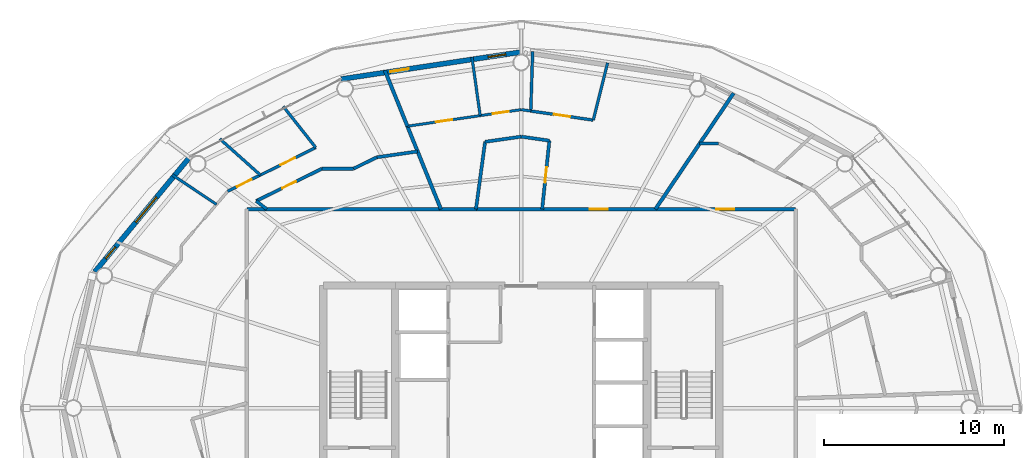
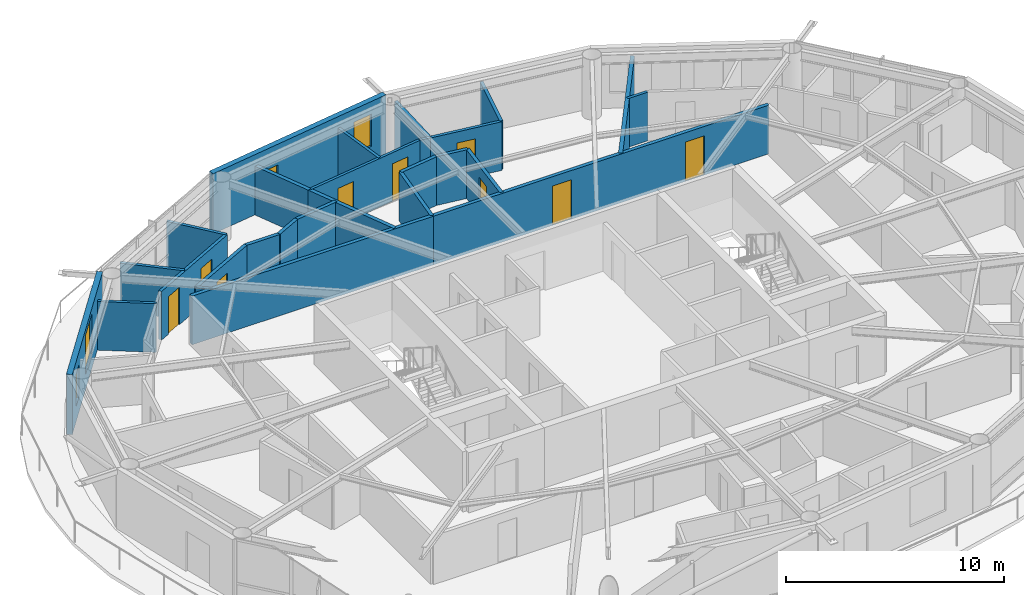
# One storey, part 19 of 23: 27 walls, 10 doors, 3 windows, 13 openings.
"""IFC4 building model written with IfcOpenShell, lengths in metres."""

from ifc_helpers import new_model, si_unit, direction, frame, frame_2d, origin, place, context, subcontext, project, spatial, rectangle, extrude, material, layer, layer_set, type_object, element, fill, save


model = new_model("IFC4")

# Units and contexts
model_context = context("Model", 3, precision=1e-05, world=origin(), true_north=direction((0.0, 1.0)))
body_context = subcontext(model_context, "Body", "Model", "MODEL_VIEW")
ifc_project = project(units=[si_unit("LENGTHUNIT", "METRE"), si_unit("AREAUNIT", "SQUARE_METRE"), si_unit("VOLUMEUNIT", "CUBIC_METRE"), si_unit("PLANEANGLEUNIT", "RADIAN"), si_unit("MASSUNIT", "GRAM", prefix="KILO")], contexts=[model_context])

# Site, building, storey
site_placement = place(None, origin())
site = spatial("IfcSite", under=ifc_project, at=site_placement, CompositionType="ELEMENT")
building_placement = place(site_placement, origin())
building = spatial("IfcBuilding", under=site, at=building_placement, Name="Sarneth Arch Tower", CompositionType="ELEMENT")
storey_placement = place(building_placement, frame((0.0, 0.0, 228.0)))
storey = spatial("IfcBuildingStorey", under=building, at=storey_placement, Name="L58", CompositionType="ELEMENT", Elevation=228.0)

# Wall
ifc_material_1 = material(Name="Double steel-stud corridor fire wall", Category="steel")
ifc_layer_1 = layer(ifc_material_1, 0.18994140625)
ifc_layer_set_1 = layer_set([ifc_layer_1], Name="Double steel-stud corridor fire wall")
wall_type_1 = type_object("IfcWallType", Name="WALL-CORR-190", PredefinedType="PARTITIONING", material=ifc_layer_set_1)
wall_1_placement = place(storey_placement, frame((32.75, 53.050048828125, 0.0), z_axis=(0.0, 0.0, 1.0), x_axis=(1.0, 0.0, 0.0)))
element("IfcWall", 1, at=wall_1_placement, inside=storey, type_object=wall_type_1, Name="L58 Interior partition W-L58-TP-009", PredefinedType="PARTITIONING", context=body_context, shape_type="SweptSolid", body=[
    extrude(rectangle(XDim=12.766357421875, YDim=0.18994140625, at=frame_2d((6.38330078125, 0.0))), origin(), (0.0, 0.0, 1.0), 2.719970703125),
])

# Wall, openings, doors
wall_2_placement = place(storey_placement, frame((45.45166015625, 53.050048828125, 0.0), z_axis=(0.0, 0.0, 1.0), x_axis=(1.0, 0.0, 0.0)))
wall_2 = element("IfcWall", 2, at=wall_2_placement, inside=storey, type_object=wall_type_1, Name="L58 Interior partition W-L58-TP-001", PredefinedType="PARTITIONING", context=body_context, shape_type="SweptSolid", body=[
    extrude(rectangle(XDim=17.79833984375, YDim=0.18994140625, at=frame_2d((8.899169921875, 0.0))), origin(), (0.0, 0.0, 1.0), 2.719970703125),
])
opening_1_placement = place(wall_2_placement, frame((13.380615234375, 0.0, 0.0)))
opening_1 = element("IfcOpeningElement", 3, at=opening_1_placement, cuts=wall_2, Name="Opening FD-08", PredefinedType="OPENING", context=body_context, shape_type="SweptSolid", body=[
    extrude(rectangle(XDim=1.0, YDim=2.199951171875, at=frame_2d((0.5, 1.10009765625))), frame((0.0, 0.10498046875, 0.0), z_axis=(0.0, -1.0, 0.0), x_axis=(1.0, 0.0, 0.0)), (0.0, 0.0, 1.0), 0.2099609375),
])
opening_2_placement = place(wall_2_placement, frame((6.35888671875, 0.0, 0.0)))
opening_2 = element("IfcOpeningElement", 4, at=opening_2_placement, cuts=wall_2, Name="Opening FD-08", PredefinedType="OPENING", context=body_context, shape_type="SweptSolid", body=[
    extrude(rectangle(XDim=1.0, YDim=2.199951171875, at=frame_2d((0.5, 1.10009765625))), frame((0.0, 0.10498046875, 0.0), z_axis=(0.0, -1.0, 0.0), x_axis=(1.0, 0.0, 0.0)), (0.0, 0.0, 1.0), 0.2099609375),
])
ifc_material_2 = material(Name="Hardwood timber acoustic fire door", Category="wood")
door_type_1 = type_object("IfcDoorType", Name="DR-FD60-1000", OperationType="SINGLE_SWING_LEFT", PredefinedType="DOOR", material=ifc_material_2)
door_1_placement = place(opening_1_placement, origin())
door_1 = element("IfcDoor", 5, at=door_1_placement, inside=storey, type_object=door_type_1, Name="L58 Interior door DR-L58-U1-ENT", OperationType="SINGLE_SWING_LEFT", OverallHeight=2.199951171875, OverallWidth=1.0, PredefinedType="DOOR", context=body_context, shape_type="SweptSolid", body=[
    extrude(rectangle(XDim=1.0, YDim=2.199951171875, at=frame_2d((0.5, 1.10009765625))), frame((0.0, 0.02490234375, 0.0), z_axis=(0.0, -1.0, 0.0), x_axis=(1.0, 0.0, 0.0)), (0.0, 0.0, 1.0), 0.050048828125),
])
fill(opening_1, door_1)
door_2_placement = place(opening_2_placement, origin())
door_2 = element("IfcDoor", 6, at=door_2_placement, inside=storey, type_object=door_type_1, Name="L58 Interior door DR-L58-U2-ENT", OperationType="SINGLE_SWING_RIGHT", OverallHeight=2.199951171875, OverallWidth=1.0, PredefinedType="DOOR", context=body_context, shape_type="SweptSolid", body=[
    extrude(rectangle(XDim=1.0, YDim=2.199951171875, at=frame_2d((0.5, 1.10009765625))), frame((0.0, 0.02490234375, 0.0), z_axis=(0.0, -1.0, 0.0), x_axis=(1.0, 0.0, 0.0)), (0.0, 0.0, 1.0), 0.050048828125),
])
fill(opening_2, door_2)

# Wall, openings, door, window
ifc_material_3 = material(Name="Extruded terracotta rainscreen on Concrete C40/50 backing", Category="masonry")
ifc_layer_2 = layer(ifc_material_3, 0.280029296875)
ifc_layer_set_2 = layer_set([ifc_layer_2], Name="Extruded terracotta rainscreen on Concrete C40/50 backing")
wall_type_2 = type_object("IfcWallType", Name="WALL-EXT-TERRA-280", PredefinedType="SOLIDWALL", material=ifc_layer_set_2)
wall_3_placement = place(storey_placement, frame((48.0, 61.780029296875, 0.0), z_axis=(0.0, 0.0, 1.0), x_axis=(-0.988882522213, -0.148698881169, 0.0)))
wall_3 = element("IfcWall", 7, at=wall_3_placement, inside=storey, type_object=wall_type_2, Name="L58 Terracotta perimeter wall 05", PredefinedType="SOLIDWALL", context=body_context, shape_type="SweptSolid", body=[
    extrude(rectangle(XDim=10.125244140625, YDim=0.280029296875, at=frame_2d((5.0625, 0.0))), origin(), (0.0, 0.0, 1.0), 3.360107421875),
])
opening_3_placement = place(wall_3_placement, frame((6.316650390625, 0.0, 0.0)))
opening_3 = element("IfcOpeningElement", 8, at=opening_3_placement, cuts=wall_3, Name="Opening BD-4", PredefinedType="OPENING", context=body_context, shape_type="SweptSolid", body=[
    extrude(rectangle(XDim=1.050048828125, YDim=2.199951171875, at=frame_2d((0.52490234375, 1.10009765625))), frame((0.0, 0.14990234375, 0.0), z_axis=(0.0, -1.0, 0.0), x_axis=(1.0, 0.0, 0.0)), (0.0, 0.0, 1.0), 0.300048828125),
])
opening_4_placement = place(wall_3_placement, frame((0.8662109375, 0.0, 0.85009765625)))
opening_4 = element("IfcOpeningElement", 9, at=opening_4_placement, cuts=wall_3, Name="Opening W-11", PredefinedType="OPENING", context=body_context, shape_type="SweptSolid", body=[
    extrude(rectangle(XDim=1.0, YDim=1.800048828125, at=frame_2d((0.5, 0.89990234375))), frame((0.0, 0.14990234375, 0.0), z_axis=(0.0, -1.0, 0.0), x_axis=(1.0, 0.0, 0.0)), (0.0, 0.0, 1.0), 0.300048828125),
])
ifc_material_4 = material(Name="Thermally broken Aluminium 6063-T6 and laminated safety glass", Category="aluminium")
door_type_2 = type_object("IfcDoorType", Name="DR-BALC-GLZ-1050", OperationType="SINGLE_SWING_RIGHT", PredefinedType="DOOR", material=ifc_material_4)
door_3_placement = place(opening_3_placement, origin())
door_3 = element("IfcDoor", 10, at=door_3_placement, inside=storey, type_object=door_type_2, Name="L58 Balcony glazed door 05", OperationType="SINGLE_SWING_RIGHT", OverallHeight=2.199951171875, OverallWidth=1.050048828125, PredefinedType="DOOR", context=body_context, shape_type="SweptSolid", body=[
    extrude(rectangle(XDim=1.050048828125, YDim=2.199951171875, at=frame_2d((0.52490234375, 1.10009765625))), frame((0.0, 0.02490234375, 0.0), z_axis=(0.0, -1.0, 0.0), x_axis=(1.0, 0.0, 0.0)), (0.0, 0.0, 1.0), 0.050048828125),
])
fill(opening_3, door_3)
ifc_material_5 = material(Name="Thermally broken Aluminium 6063-T6 and low-e laminated IGU", Category="aluminium")
window_type_1 = type_object("IfcWindowType", Name="WIN-TWR-1000x1800", PartitioningType="SINGLE_PANEL", PredefinedType="WINDOW", material=ifc_material_5)
window_1_placement = place(opening_4_placement, origin())
window_1 = element("IfcWindow", 11, at=window_1_placement, inside=storey, type_object=window_type_1, Name="L58 Dwelling bedroom window 02", OverallHeight=1.800048828125, OverallWidth=1.0, PartitioningType="SINGLE_PANEL", PredefinedType="WINDOW", context=body_context, shape_type="SweptSolid", body=[
    extrude(rectangle(XDim=1.0, YDim=1.800048828125, at=frame_2d((0.5, 0.89990234375))), frame((0.0, 0.030029296875, 0.0), z_axis=(0.0, -1.0, 0.0), x_axis=(1.0, 0.0, 0.0)), (0.0, 0.0, 1.0), 0.06005859375),
])
fill(opening_4, window_1)

# Wall, openings, windows
wall_4_placement = place(storey_placement, frame((29.617431640625, 55.986572265625, 0.0), z_axis=(0.0, 0.0, 1.0), x_axis=(-0.63761509934, -0.770355103243, 0.0)))
wall_4 = element("IfcWall", 12, at=wall_4_placement, inside=storey, type_object=wall_type_2, Name="L58 Terracotta perimeter wall 07", PredefinedType="SOLIDWALL", context=body_context, shape_type="SweptSolid", body=[
    extrude(rectangle(XDim=8.329833984375, YDim=0.280029296875, at=frame_2d((4.1650390625, 0.0))), origin(), (0.0, 0.0, 1.0), 3.360107421875),
])
opening_5_placement = place(wall_4_placement, frame((2.953369140625, 0.0, 0.85009765625)))
opening_5 = element("IfcOpeningElement", 13, at=opening_5_placement, cuts=wall_4, Name="Opening W-04", PredefinedType="OPENING", context=body_context, shape_type="SweptSolid", body=[
    extrude(rectangle(XDim=1.800048828125, YDim=2.199951171875, at=frame_2d((0.89990234375, 1.10009765625))), frame((0.0, 0.14990234375, 0.0), z_axis=(0.0, -1.0, 0.0), x_axis=(1.0, 0.0, 0.0)), (0.0, 0.0, 1.0), 0.300048828125),
])
opening_6_placement = place(wall_4_placement, frame((6.536376953125, 0.0, 0.85009765625)))
opening_6 = element("IfcOpeningElement", 14, at=opening_6_placement, cuts=wall_4, Name="Opening W-12", PredefinedType="OPENING", context=body_context, shape_type="SweptSolid", body=[
    extrude(rectangle(XDim=0.85009765625, YDim=1.800048828125, at=frame_2d((0.425048828125, 0.89990234375))), frame((0.0, 0.14990234375, 0.0), z_axis=(0.0, -1.0, 0.0), x_axis=(1.0, 0.0, 0.0)), (0.0, 0.0, 1.0), 0.300048828125),
])
ifc_material_6 = material(Name="Thermally broken Aluminium 6063-T6 and low-e laminated IGU", Category="aluminium")
window_type_2 = type_object("IfcWindowType", Name="WIN-TWR-1800x2200", PartitioningType="DOUBLE_PANEL_VERTICAL", PredefinedType="WINDOW", material=ifc_material_6)
window_2_placement = place(opening_5_placement, origin())
window_2 = element("IfcWindow", 15, at=window_2_placement, inside=storey, type_object=window_type_2, Name="L58 Exterior window 07A", OverallHeight=2.199951171875, OverallWidth=1.800048828125, PartitioningType="SINGLE_PANEL", PredefinedType="WINDOW", context=body_context, shape_type="SweptSolid", body=[
    extrude(rectangle(XDim=1.800048828125, YDim=2.199951171875, at=frame_2d((0.89990234375, 1.10009765625))), frame((0.0, 0.030029296875, 0.0), z_axis=(0.0, -1.0, 0.0), x_axis=(1.0, 0.0, 0.0)), (0.0, 0.0, 1.0), 0.06005859375),
])
fill(opening_5, window_2)
ifc_material_7 = material(Name="Thermally broken Aluminium 6063-T6 and low-e laminated IGU", Category="aluminium")
window_type_3 = type_object("IfcWindowType", Name="WIN-TWR-850x1800", PartitioningType="SINGLE_PANEL", PredefinedType="WINDOW", material=ifc_material_7)
window_3_placement = place(opening_6_placement, origin())
window_3 = element("IfcWindow", 16, at=window_3_placement, inside=storey, type_object=window_type_3, Name="L58 Dwelling bedroom window 03", OverallHeight=1.800048828125, OverallWidth=0.85009765625, PartitioningType="SINGLE_PANEL", PredefinedType="WINDOW", context=body_context, shape_type="SweptSolid", body=[
    extrude(rectangle(XDim=0.85009765625, YDim=1.800048828125, at=frame_2d((0.425048828125, 0.89990234375))), frame((0.0, 0.030029296875, 0.0), z_axis=(0.0, -1.0, 0.0), x_axis=(1.0, 0.0, 0.0)), (0.0, 0.0, 1.0), 0.06005859375),
])
fill(opening_6, window_3)

# Wall, openings, doors
ifc_material_8 = material(Name="Apartment internal stud partition", Category="gypsum")
ifc_layer_3 = layer(ifc_material_8, 0.139892578125)
ifc_layer_set_3 = layer_set([ifc_layer_3], Name="Apartment internal stud partition")
wall_type_3 = type_object("IfcWallType", Name="WALL-PART-140", PredefinedType="PARTITIONING", material=ifc_layer_set_3)
wall_5_placement = place(storey_placement, frame((41.673828125, 57.657470703125, 0.0), z_axis=(0.0, 0.0, 1.0), x_axis=(0.989537524877, 0.144275732054, 0.0)))
wall_5 = element("IfcWall", 17, at=wall_5_placement, inside=storey, type_object=wall_type_3, Name="L58 Interior partition W-L58-TP-048", PredefinedType="PARTITIONING", context=body_context, shape_type="SweptSolid", body=[
    extrude(rectangle(XDim=6.39306640625, YDim=0.139892578125, at=frame_2d((3.196533203125, 0.0))), origin(), (0.0, 0.0, 1.0), 2.719970703125),
])
opening_7_placement = place(wall_5_placement, frame((1.608642578125, 0.0, 0.0)))
opening_7 = element("IfcOpeningElement", 18, at=opening_7_placement, cuts=wall_5, Name="Opening ID-01", PredefinedType="OPENING", context=body_context, shape_type="SweptSolid", body=[
    extrude(rectangle(XDim=0.89990234375, YDim=2.10009765625, at=frame_2d((0.449951171875, 1.050048828125))), frame((0.0, 0.079833984375, 0.0), z_axis=(0.0, -1.0, 0.0), x_axis=(1.0, 0.0, 0.0)), (0.0, 0.0, 1.0), 0.159912109375),
])
opening_8_placement = place(wall_5_placement, frame((4.789306640625, 0.0, 0.0)))
opening_8 = element("IfcOpeningElement", 19, at=opening_8_placement, cuts=wall_5, Name="Opening ID-01", PredefinedType="OPENING", context=body_context, shape_type="SweptSolid", body=[
    extrude(rectangle(XDim=0.89990234375, YDim=2.10009765625, at=frame_2d((0.449951171875, 1.050048828125))), frame((0.0, 0.079833984375, 0.0), z_axis=(0.0, -1.0, 0.0), x_axis=(1.0, 0.0, 0.0)), (0.0, 0.0, 1.0), 0.159912109375),
])
ifc_material_9 = material(Name="Engineered hardwood flush door", Category="wood")
door_type_3 = type_object("IfcDoorType", Name="DR-INT-900", OperationType="SINGLE_SWING_LEFT", PredefinedType="DOOR", material=ifc_material_9)
door_4_placement = place(opening_7_placement, origin())
door_4 = element("IfcDoor", 20, at=door_4_placement, inside=storey, type_object=door_type_3, Name="L58 Interior door DR-L58-U2-BED2", OperationType="SINGLE_SWING_RIGHT", OverallHeight=2.10009765625, OverallWidth=0.89990234375, PredefinedType="DOOR", context=body_context, shape_type="SweptSolid", body=[
    extrude(rectangle(XDim=0.89990234375, YDim=2.10009765625, at=frame_2d((0.449951171875, 1.050048828125))), frame((0.0, 0.02490234375, 0.0), z_axis=(0.0, -1.0, 0.0), x_axis=(1.0, 0.0, 0.0)), (0.0, 0.0, 1.0), 0.050048828125),
])
fill(opening_7, door_4)
door_5_placement = place(opening_8_placement, origin())
door_5 = element("IfcDoor", 21, at=door_5_placement, inside=storey, type_object=door_type_3, Name="L58 Interior door DR-L58-U2-BED1", OperationType="SINGLE_SWING_RIGHT", OverallHeight=2.10009765625, OverallWidth=0.89990234375, PredefinedType="DOOR", context=body_context, shape_type="SweptSolid", body=[
    extrude(rectangle(XDim=0.89990234375, YDim=2.10009765625, at=frame_2d((0.449951171875, 1.050048828125))), frame((0.0, 0.02490234375, 0.0), z_axis=(0.0, -1.0, 0.0), x_axis=(1.0, 0.0, 0.0)), (0.0, 0.0, 1.0), 0.050048828125),
])
fill(opening_8, door_5)

# Walls
ifc_material_10 = material(Name="Acoustic gypsum stud partition", Category="gypsum")
ifc_layer_4 = layer(ifc_material_10, 0.14990234375)
ifc_layer_set_4 = layer_set([ifc_layer_4], Name="Acoustic gypsum stud partition")
wall_type_4 = type_object("IfcWallType", Name="WALL-PART-150", PredefinedType="PARTITIONING", material=ifc_layer_set_4)
wall_6_placement = place(storey_placement, frame((45.716552734375, 58.2470703125, 0.0), z_axis=(0.0, 0.0, 1.0), x_axis=(-0.139134872395, 0.990273440664, 0.0)))
element("IfcWall", 22, at=wall_6_placement, inside=storey, type_object=wall_type_4, Name="L58 Interior partition W-L58-TP-052", PredefinedType="PARTITIONING", context=body_context, shape_type="SweptSolid", body=[
    extrude(rectangle(XDim=3.274169921875, YDim=0.14990234375, at=frame_2d((1.63720703125, 0.0))), origin(), (0.0, 0.0, 1.0), 2.719970703125),
])
wall_7_placement = place(storey_placement, frame((28.609375, 54.955810546875, 0.0), z_axis=(0.0, 0.0, 1.0), x_axis=(0.831478101563, -0.555557527733, 0.0)))
element("IfcWall", 23, at=wall_7_placement, inside=storey, type_object=wall_type_4, Name="L58 Interior partition W-L58-TP-070", PredefinedType="PARTITIONING", context=body_context, shape_type="SweptSolid", body=[
    extrude(rectangle(XDim=2.956298828125, YDim=0.14990234375, at=frame_2d((1.47802734375, 0.0))), origin(), (0.0, 0.0, 1.0), 2.719970703125),
])
wall_8_placement = place(storey_placement, frame((57.915283203125, 56.699951171875, 0.0), z_axis=(0.0, 0.0, 1.0), x_axis=(1.0, 0.0, 0.0)))
element("IfcWall", 24, at=wall_8_placement, inside=storey, type_object=wall_type_4, Name="L58 Interior partition W-L58-TP-030", PredefinedType="PARTITIONING", context=body_context, shape_type="SweptSolid", body=[
    extrude(rectangle(XDim=1.048583984375, YDim=0.14990234375, at=frame_2d((0.5244140625, 0.0))), origin(), (0.0, 0.0, 1.0), 2.719970703125),
])
wall_9_placement = place(storey_placement, frame((48.527099609375, 58.503173828125, 0.0), z_axis=(0.0, 0.0, 1.0), x_axis=(-0.989523434522, 0.144372339914, 0.0)))
element("IfcWall", 25, at=wall_9_placement, inside=storey, type_object=wall_type_4, Name="L58 Interior partition W-L58-TP-046", PredefinedType="PARTITIONING", context=body_context, shape_type="SweptSolid", body=[
    extrude(rectangle(XDim=0.53271484375, YDim=0.14990234375, at=frame_2d((0.266357421875, 0.0))), origin(), (0.0, 0.0, 1.0), 2.719970703125),
])

# Wall, opening, door
ifc_material_11 = material(Name="Kitchen wet service chase wall", Category="gypsum")
ifc_layer_5 = layer(ifc_material_11, 0.159912109375)
ifc_layer_set_5 = layer_set([ifc_layer_5], Name="Kitchen wet service chase wall")
wall_type_5 = type_object("IfcWallType", Name="WALL-PLUMB-160", PredefinedType="PLUMBINGWALL", material=ifc_layer_set_5)
wall_10_placement = place(storey_placement, frame((52.0009765625, 57.99658203125, 0.0), z_axis=(0.0, 0.0, 1.0), x_axis=(-0.989533601714, 0.144302637118, 0.0)))
wall_10 = element("IfcWall", 26, at=wall_10_placement, inside=storey, type_object=wall_type_5, Name="L58 Interior partition W-L58-TP-041", PredefinedType="PLUMBINGWALL", context=body_context, shape_type="SweptSolid", body=[
    extrude(rectangle(XDim=3.5107421875, YDim=0.159912109375, at=frame_2d((1.75537109375, 0.0))), origin(), (0.0, 0.0, 1.0), 2.719970703125),
])
opening_9_placement = place(wall_10_placement, frame((1.305419921875, 0.0, 0.0)))
opening_9 = element("IfcOpeningElement", 27, at=opening_9_placement, cuts=wall_10, Name="Opening ID-01", PredefinedType="OPENING", context=body_context, shape_type="SweptSolid", body=[
    extrude(rectangle(XDim=0.89990234375, YDim=2.10009765625, at=frame_2d((0.449951171875, 1.050048828125))), frame((0.0, 0.08984375, 0.0), z_axis=(0.0, -1.0, 0.0), x_axis=(1.0, 0.0, 0.0)), (0.0, 0.0, 1.0), 0.179931640625),
])
door_6_placement = place(opening_9_placement, origin())
door_6 = element("IfcDoor", 28, at=door_6_placement, inside=storey, type_object=door_type_3, Name="L58 Interior door DR-L58-U2-KIT", OperationType="SINGLE_SWING_RIGHT", OverallHeight=2.10009765625, OverallWidth=0.89990234375, PredefinedType="DOOR", context=body_context, shape_type="SweptSolid", body=[
    extrude(rectangle(XDim=0.89990234375, YDim=2.10009765625, at=frame_2d((0.449951171875, 1.050048828125))), frame((0.0, 0.02490234375, 0.0), z_axis=(0.0, -1.0, 0.0), x_axis=(1.0, 0.0, 0.0)), (0.0, 0.0, 1.0), 0.050048828125),
])
fill(opening_9, door_6)

# Wall, openings, doors
wall_11_placement = place(storey_placement, frame((31.688720703125, 54.0419921875, 0.0), z_axis=(0.0, 0.0, 1.0), x_axis=(0.895479575413, 0.445102606168, 0.0)))
wall_11 = element("IfcWall", 29, at=wall_11_placement, inside=storey, type_object=wall_type_5, Name="L58 Interior partition W-L58-TP-056", PredefinedType="PLUMBINGWALL", context=body_context, shape_type="SweptSolid", body=[
    extrude(rectangle(XDim=5.4619140625, YDim=0.159912109375, at=frame_2d((2.73095703125, 0.0))), origin(), (0.0, 0.0, 1.0), 2.719970703125),
])
opening_10_placement = place(wall_11_placement, frame((3.277587890625, 0.0, 0.0)))
opening_10 = element("IfcOpeningElement", 30, at=opening_10_placement, cuts=wall_11, Name="Opening ID-01", PredefinedType="OPENING", context=body_context, shape_type="SweptSolid", body=[
    extrude(rectangle(XDim=0.89990234375, YDim=2.10009765625, at=frame_2d((0.449951171875, 1.050048828125))), frame((0.0, 0.08984375, 0.0), z_axis=(0.0, -1.0, 0.0), x_axis=(1.0, 0.0, 0.0)), (0.0, 0.0, 1.0), 0.179931640625),
])
opening_11_placement = place(wall_11_placement, frame((0.5810546875, 0.0, 0.0)))
opening_11 = element("IfcOpeningElement", 31, at=opening_11_placement, cuts=wall_11, Name="Opening ID-01", PredefinedType="OPENING", context=body_context, shape_type="SweptSolid", body=[
    extrude(rectangle(XDim=0.89990234375, YDim=2.10009765625, at=frame_2d((0.449951171875, 1.050048828125))), frame((0.0, 0.08984375, 0.0), z_axis=(0.0, -1.0, 0.0), x_axis=(1.0, 0.0, 0.0)), (0.0, 0.0, 1.0), 0.179931640625),
])
door_7_placement = place(opening_10_placement, origin())
door_7 = element("IfcDoor", 32, at=door_7_placement, inside=storey, type_object=door_type_3, Name="L58 Interior door DR-L58-U3-KIT", OperationType="SINGLE_SWING_RIGHT", OverallHeight=2.10009765625, OverallWidth=0.89990234375, PredefinedType="DOOR", context=body_context, shape_type="SweptSolid", body=[
    extrude(rectangle(XDim=0.89990234375, YDim=2.10009765625, at=frame_2d((0.449951171875, 1.050048828125))), frame((0.0, 0.02490234375, 0.0), z_axis=(0.0, -1.0, 0.0), x_axis=(1.0, 0.0, 0.0)), (0.0, 0.0, 1.0), 0.050048828125),
])
fill(opening_10, door_7)
door_8_placement = place(opening_11_placement, origin())
door_8 = element("IfcDoor", 33, at=door_8_placement, inside=storey, type_object=door_type_3, Name="L58 Interior door DR-L58-U3-STD", OperationType="SINGLE_SWING_RIGHT", OverallHeight=2.10009765625, OverallWidth=0.89990234375, PredefinedType="DOOR", context=body_context, shape_type="SweptSolid", body=[
    extrude(rectangle(XDim=0.89990234375, YDim=2.10009765625, at=frame_2d((0.449951171875, 1.050048828125))), frame((0.0, 0.02490234375, 0.0), z_axis=(0.0, -1.0, 0.0), x_axis=(1.0, 0.0, 0.0)), (0.0, 0.0, 1.0), 0.050048828125),
])
fill(opening_11, door_8)

# Walls
wall_12_placement = place(storey_placement, frame((48.6328125, 61.805419921875, 0.0), z_axis=(0.0, 0.0, 1.0), x_axis=(-0.031996030035, -0.999487995957, 0.0)))
element("IfcWall", 34, at=wall_12_placement, inside=storey, type_object=wall_type_5, Name="L58 Interior partition W-L58-TP-051", PredefinedType="PLUMBINGWALL", context=body_context, shape_type="SweptSolid", body=[
    extrude(rectangle(XDim=3.303955078125, YDim=0.159912109375, at=frame_2d((1.65185546875, 0.0))), origin(), (0.0, 0.0, 1.0), 2.719970703125),
])
wall_13_placement = place(storey_placement, frame((52.797119140625, 61.179443359375, 0.0), z_axis=(0.0, 0.0, 1.0), x_axis=(-0.242658184372, -0.970111852086, 0.0)))
element("IfcWall", 35, at=wall_13_placement, inside=storey, type_object=wall_type_5, Name="L58 Interior partition W-L58-TP-040", PredefinedType="PLUMBINGWALL", context=body_context, shape_type="SweptSolid", body=[
    extrude(rectangle(XDim=3.281005859375, YDim=0.159912109375, at=frame_2d((1.640625, 0.0))), origin(), (0.0, 0.0, 1.0), 2.719970703125),
])
wall_14_placement = place(storey_placement, frame((33.504638671875, 54.944580078125, 0.0), z_axis=(0.0, 0.0, 1.0), x_axis=(-0.745914664094, 0.66604152565, 0.0)))
element("IfcWall", 36, at=wall_14_placement, inside=storey, type_object=wall_type_5, Name="L58 Interior partition W-L58-TP-069", PredefinedType="PLUMBINGWALL", context=body_context, shape_type="SweptSolid", body=[
    extrude(rectangle(XDim=3.013916015625, YDim=0.159912109375, at=frame_2d((1.5068359375, 0.0))), origin(), (0.0, 0.0, 1.0), 2.719970703125),
])
wall_15_placement = place(storey_placement, frame((36.579833984375, 56.47314453125, 0.0), z_axis=(0.0, 0.0, 1.0), x_axis=(-0.619378047354, 0.785092882694, 0.0)))
element("IfcWall", 37, at=wall_15_placement, inside=storey, type_object=wall_type_5, Name="L58 Interior partition W-L58-TP-057", PredefinedType="PLUMBINGWALL", context=body_context, shape_type="SweptSolid", body=[
    extrude(rectangle(XDim=2.9140625, YDim=0.159912109375, at=frame_2d((1.45703125, 0.0))), origin(), (0.0, 0.0, 1.0), 2.719970703125),
])

# Wall, opening, door
ifc_material_12 = material(Name="Moisture-resistant plumbing chase wall", Category="gypsum")
ifc_layer_6 = layer(ifc_material_12, 0.179931640625)
ifc_layer_set_6 = layer_set([ifc_layer_6], Name="Moisture-resistant plumbing chase wall")
wall_type_6 = type_object("IfcWallType", Name="WALL-PLUMB-180", PredefinedType="PLUMBINGWALL", material=ifc_layer_set_6)
wall_16_placement = place(storey_placement, frame((33.273193359375, 53.505615234375, 0.0), z_axis=(0.0, 0.0, 1.0), x_axis=(0.89778136281, 0.440441397454, 0.0)))
wall_16 = element("IfcWall", 38, at=wall_16_placement, inside=storey, type_object=wall_type_6, Name="L58 Interior partition W-L58-TP-059", PredefinedType="PLUMBINGWALL", context=body_context, shape_type="SweptSolid", body=[
    extrude(rectangle(XDim=4.07421875, YDim=0.179931640625, at=frame_2d((2.037109375, 0.0))), origin(), (0.0, 0.0, 1.0), 2.719970703125),
])
opening_12_placement = place(wall_16_placement, frame((1.612060546875, 0.0, 0.0)))
opening_12 = element("IfcOpeningElement", 39, at=opening_12_placement, cuts=wall_16, Name="Opening ID-02", PredefinedType="OPENING", context=body_context, shape_type="SweptSolid", body=[
    extrude(rectangle(XDim=0.85009765625, YDim=2.10009765625, at=frame_2d((0.425048828125, 1.050048828125))), frame((0.0, 0.099853515625, 0.0), z_axis=(0.0, -1.0, 0.0), x_axis=(1.0, 0.0, 0.0)), (0.0, 0.0, 1.0), 0.199951171875),
])
ifc_material_13 = material(Name="Moisture-resistant bathroom timber door", Category="wood")
door_type_4 = type_object("IfcDoorType", Name="DR-INT-850", OperationType="SINGLE_SWING_RIGHT", PredefinedType="DOOR", material=ifc_material_13)
door_9_placement = place(opening_12_placement, origin())
door_9 = element("IfcDoor", 40, at=door_9_placement, inside=storey, type_object=door_type_4, Name="L58 Interior door DR-L58-U3-BATH", OperationType="SINGLE_SWING_RIGHT", OverallHeight=2.10009765625, OverallWidth=0.85009765625, PredefinedType="DOOR", context=body_context, shape_type="SweptSolid", body=[
    extrude(rectangle(XDim=0.85009765625, YDim=2.10009765625, at=frame_2d((0.425048828125, 1.050048828125))), frame((0.0, 0.02490234375, 0.0), z_axis=(0.0, -1.0, 0.0), x_axis=(1.0, 0.0, 0.0)), (0.0, 0.0, 1.0), 0.050048828125),
])
fill(opening_12, door_9)

wall_17_placement = place(storey_placement, frame((49.161376953125, 53.050048828125, 0.0), z_axis=(0.0, 0.0, 1.0), x_axis=(0.10454201208, 0.994520471237, 0.0)))
wall_17 = element("IfcWall", 41, at=wall_17_placement, inside=storey, type_object=wall_type_6, Name="L58 Interior partition W-L58-TP-042", PredefinedType="PLUMBINGWALL", context=body_context, shape_type="SweptSolid", body=[
    extrude(rectangle(XDim=3.82763671875, YDim=0.179931640625, at=frame_2d((1.913818359375, 0.0))), origin(), (0.0, 0.0, 1.0), 2.719970703125),
])
opening_13_placement = place(wall_17_placement, frame((1.48876953125, 0.0, 0.0)))
opening_13 = element("IfcOpeningElement", 42, at=opening_13_placement, cuts=wall_17, Name="Opening ID-02", PredefinedType="OPENING", context=body_context, shape_type="SweptSolid", body=[
    extrude(rectangle(XDim=0.85009765625, YDim=2.10009765625, at=frame_2d((0.425048828125, 1.050048828125))), frame((0.0, 0.099853515625, 0.0), z_axis=(0.0, -1.0, 0.0), x_axis=(1.0, 0.0, 0.0)), (0.0, 0.0, 1.0), 0.199951171875),
])
door_10_placement = place(opening_13_placement, origin())
door_10 = element("IfcDoor", 43, at=door_10_placement, inside=storey, type_object=door_type_4, Name="L58 Interior door DR-L58-U2-BATH", OperationType="SINGLE_SWING_RIGHT", OverallHeight=2.10009765625, OverallWidth=0.85009765625, PredefinedType="DOOR", context=body_context, shape_type="SweptSolid", body=[
    extrude(rectangle(XDim=0.85009765625, YDim=2.10009765625, at=frame_2d((0.425048828125, 1.050048828125))), frame((0.0, 0.02490234375, 0.0), z_axis=(0.0, -1.0, 0.0), x_axis=(1.0, 0.0, 0.0)), (0.0, 0.0, 1.0), 0.050048828125),
])
fill(opening_13, door_10)

# Walls
wall_18_placement = place(storey_placement, frame((45.989990234375, 56.79248046875, 0.0), z_axis=(0.0, 0.0, 1.0), x_axis=(-0.134013985284, -0.990979440628, 0.0)))
element("IfcWall", 44, at=wall_18_placement, inside=storey, type_object=wall_type_6, Name="L58 Interior partition W-L58-TP-045", PredefinedType="PLUMBINGWALL", context=body_context, shape_type="SweptSolid", body=[
    extrude(rectangle(XDim=3.776611328125, YDim=0.179931640625, at=frame_2d((1.88818359375, 0.0))), origin(), (0.0, 0.0, 1.0), 2.719970703125),
])
wall_19_placement = place(storey_placement, frame((39.97607421875, 55.93212890625, 0.0), z_axis=(0.0, 0.0, 1.0), x_axis=(0.989917445937, 0.141645509032, 0.0)))
element("IfcWall", 45, at=wall_19_placement, inside=storey, type_object=wall_type_6, Name="L58 Interior partition W-L58-TP-062", PredefinedType="PLUMBINGWALL", context=body_context, shape_type="SweptSolid", body=[
    extrude(rectangle(XDim=2.287109375, YDim=0.179931640625, at=frame_2d((1.1435546875, 0.0))), origin(), (0.0, 0.0, 1.0), 2.719970703125),
])
wall_20_placement = place(storey_placement, frame((48.0, 57.080078125, 0.0), z_axis=(0.0, 0.0, 1.0), x_axis=(-0.989918207634, -0.141640185666, 0.0)))
element("IfcWall", 46, at=wall_20_placement, inside=storey, type_object=wall_type_6, Name="L58 Interior partition W-L58-TP-044", PredefinedType="PLUMBINGWALL", context=body_context, shape_type="SweptSolid", body=[
    extrude(rectangle(XDim=2.030517578125, YDim=0.179931640625, at=frame_2d((1.01513671875, 0.0))), origin(), (0.0, 0.0, 1.0), 2.719970703125),
])
wall_21_placement = place(storey_placement, frame((36.930908203125, 55.300048828125, 0.0), z_axis=(0.0, 0.0, 1.0), x_axis=(1.0, 0.0, 0.0)))
element("IfcWall", 47, at=wall_21_placement, inside=storey, type_object=wall_type_6, Name="L58 Interior partition W-L58-TP-060", PredefinedType="PLUMBINGWALL", context=body_context, shape_type="SweptSolid", body=[
    extrude(rectangle(XDim=1.748291015625, YDim=0.179931640625, at=frame_2d((0.8740234375, 0.0))), origin(), (0.0, 0.0, 1.0), 2.719970703125),
])
wall_22_placement = place(storey_placement, frame((49.5615234375, 56.856689453125, 0.0), z_axis=(0.0, 0.0, 1.0), x_axis=(-0.989921615496, 0.141616366194, 0.0)))
element("IfcWall", 48, at=wall_22_placement, inside=storey, type_object=wall_type_6, Name="L58 Interior partition W-L58-TP-043", PredefinedType="PLUMBINGWALL", context=body_context, shape_type="SweptSolid", body=[
    extrude(rectangle(XDim=1.577392578125, YDim=0.179931640625, at=frame_2d((0.78857421875, 0.0))), origin(), (0.0, 0.0, 1.0), 2.719970703125),
])
wall_23_placement = place(storey_placement, frame((38.67919921875, 55.300048828125, 0.0), z_axis=(0.0, 0.0, 1.0), x_axis=(0.898916394035, 0.438120207861, 0.0)))
element("IfcWall", 49, at=wall_23_placement, inside=storey, type_object=wall_type_6, Name="L58 Interior partition W-L58-TP-061", PredefinedType="PLUMBINGWALL", context=body_context, shape_type="SweptSolid", body=[
    extrude(rectangle(XDim=1.442626953125, YDim=0.179931640625, at=frame_2d((0.72119140625, 0.0))), origin(), (0.0, 0.0, 1.0), 2.719970703125),
])
wall_24_placement = place(storey_placement, frame((33.856689453125, 53.050048828125, 0.0), z_axis=(0.0, 0.0, 1.0), x_axis=(-0.788214334349, 0.615400815019, 0.0)))
element("IfcWall", 50, at=wall_24_placement, inside=storey, type_object=wall_type_6, Name="L58 Interior partition W-L58-TP-058", PredefinedType="PLUMBINGWALL", context=body_context, shape_type="SweptSolid", body=[
    extrude(rectangle(XDim=0.740234375, YDim=0.179931640625, at=frame_2d((0.3701171875, 0.0))), origin(), (0.0, 0.0, 1.0), 2.719970703125),
])
ifc_material_14 = material(Name="Double steel-stud acoustic drywall", Category="steel")
ifc_layer_7 = layer(ifc_material_14, 0.199951171875)
ifc_layer_set_7 = layer_set([ifc_layer_7], Name="Double steel-stud acoustic drywall")
wall_type_7 = type_object("IfcWallType", Name="WALL-UNIT-200", PredefinedType="PARTITIONING", material=ifc_layer_set_7)
wall_25_placement = place(storey_placement, frame((59.79931640625, 59.492919921875, 0.0), z_axis=(0.0, 0.0, 1.0), x_axis=(-0.559208454265, -0.8290270832, 0.0)))
element("IfcWall", 51, at=wall_25_placement, inside=storey, type_object=wall_type_7, Name="L58 Interior partition W-L58-TP-032", PredefinedType="PARTITIONING", context=body_context, shape_type="SweptSolid", body=[
    extrude(rectangle(XDim=7.771484375, YDim=0.199951171875, at=frame_2d((3.8857421875, 0.0))), origin(), (0.0, 0.0, 1.0), 2.719970703125),
])
wall_26_placement = place(storey_placement, frame((41.674072265625, 57.657470703125, 0.0), z_axis=(0.0, 0.0, 1.0), x_axis=(0.374573524941, -0.927197214412, 0.0)))
element("IfcWall", 52, at=wall_26_placement, inside=storey, type_object=wall_type_7, Name="L58 Interior partition W-L58-TP-050", PredefinedType="PARTITIONING", context=body_context, shape_type="SweptSolid", body=[
    extrude(rectangle(XDim=4.96923828125, YDim=0.199951171875, at=frame_2d((2.484619140625, 0.0))), origin(), (0.0, 0.0, 1.0), 2.719970703125),
])
wall_27_placement = place(storey_placement, frame((41.673828125, 57.657470703125, 0.0), z_axis=(0.0, 0.0, 1.0), x_axis=(-0.374572886439, 0.927197472357, 0.0)))
element("IfcWall", 53, at=wall_27_placement, inside=storey, type_object=wall_type_7, Name="L58 Interior partition W-L58-TP-053", PredefinedType="PARTITIONING", context=body_context, shape_type="SweptSolid", body=[
    extrude(rectangle(XDim=3.34423828125, YDim=0.199951171875, at=frame_2d((1.672119140625, 0.0))), origin(), (0.0, 0.0, 1.0), 2.719970703125),
])

save(model, "model.ifc")
